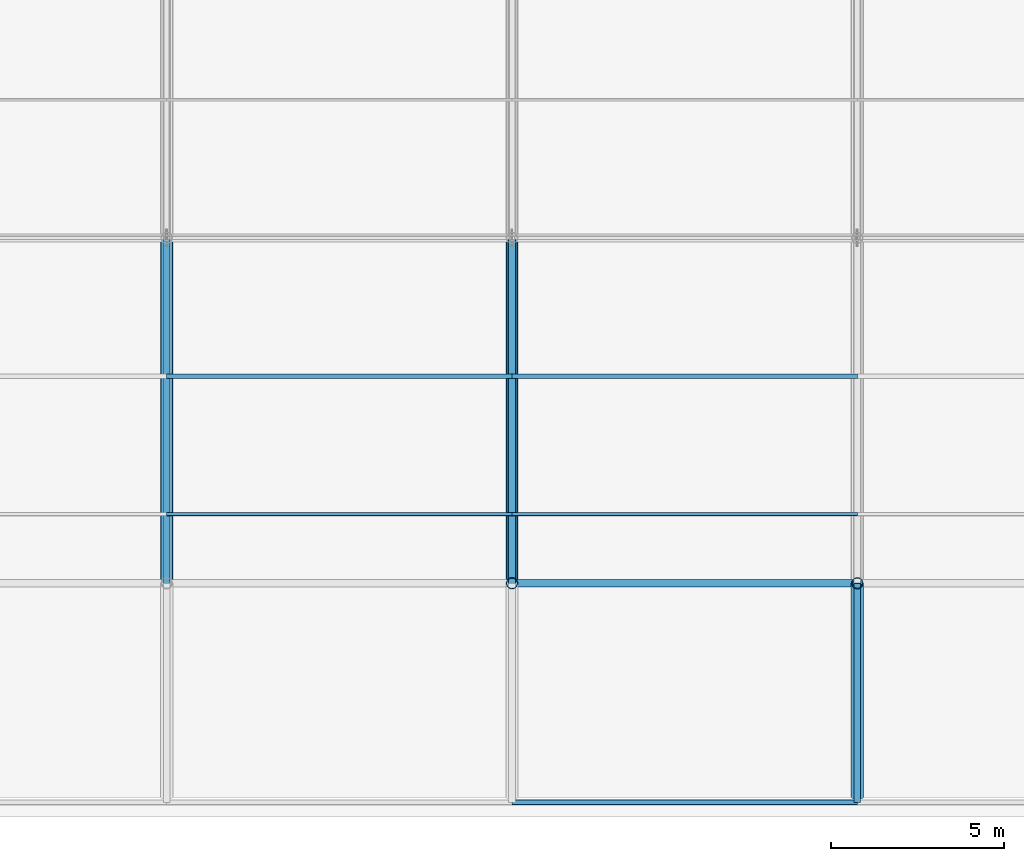
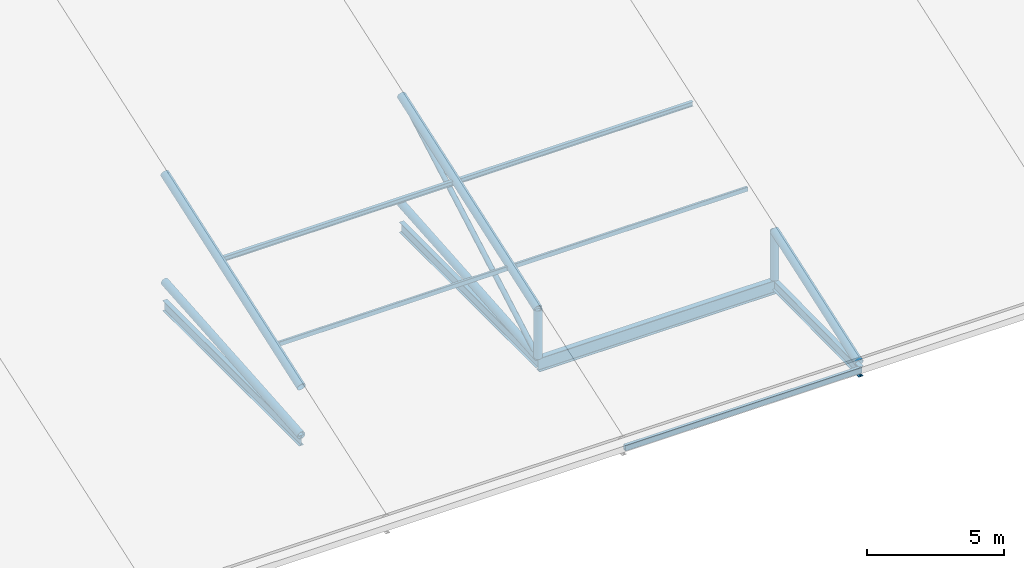
# One storey, part 17 of 93: 12 members, 5 beams.
"""IFC4 building model written with IfcOpenShell, lengths in metres."""

from ifc_helpers import new_model, si_unit, derived_unit, direction, frame, origin, origin_2d_with_axis, place, context, subcontext, project, spatial, hollow_rectangle, hollow_circle, i_section, extrude, material, material_profile, profile_set, type_object, element, save


model = new_model("IFC4")

# Units and contexts
model_context = context("Model", 3, precision=1e-05, world=origin(), true_north=direction((0.0, 1.0)))
body_context = subcontext(model_context, "Body", "Model", "MODEL_VIEW")
ifc_project = project(units=[si_unit("LENGTHUNIT", "METRE"), si_unit("AREAUNIT", "SQUARE_METRE"), si_unit("VOLUMEUNIT", "CUBIC_METRE"), si_unit("PLANEANGLEUNIT", "RADIAN"), si_unit("MASSUNIT", "GRAM", prefix="KILO"), derived_unit("THERMALTRANSMITTANCEUNIT", [(si_unit("POWERUNIT", "WATT"), 1), (si_unit("LENGTHUNIT", "METRE"), -2), (si_unit("THERMODYNAMICTEMPERATUREUNIT", "KELVIN"), -1)])], contexts=[model_context])

# Site, building, storey
site_placement = place(None, origin())
site = spatial("IfcSite", under=ifc_project, at=site_placement, CompositionType="ELEMENT")
building_placement = place(site_placement, origin())
building = spatial("IfcBuilding", under=site, at=building_placement, Name="Cinnabar Yard Market Hall", CompositionType="ELEMENT")
storey_placement = place(building_placement, frame((0.0, 0.0, 23.800048828125)))
storey = spatial("IfcBuildingStorey", under=building, at=storey_placement, Name="ROOF", CompositionType="ELEMENT", Elevation=23.800048828125)

# Beams
ifc_material_1 = material(Name="Steel Grade 350 (350 MPa)", Category="steel")
ifc_material_profile_1 = material_profile(ifc_material_1, i_section(OverallWidth=0.22900390625, OverallDepth=0.611572265625, WebThickness=0.011962890625, FlangeThickness=0.01953125, FilletRadius=0.013916015625, at=origin_2d_with_axis()), Name="610UB125")
ifc_profile_set_1 = profile_set([ifc_material_profile_1], Name="Steel Grade 350 (350 MPa)")
beam_type_1 = type_object("IfcBeamType", Name="BM-B01E", PredefinedType="BEAM", material=ifc_profile_set_1)
beam_1_placement = place(storey_placement, frame((116.0, 14.0, -9.705810546875), z_axis=(1.0, 0.0, 0.0), x_axis=(0.0, 1.0, 0.0)))
element("IfcBeam", 1, at=beam_1_placement, inside=storey, type_object=beam_type_1, Name="South Springer Girder 00362", PredefinedType="BEAM", context=body_context, shape_type="SweptSolid", body=[
    extrude(i_section(OverallWidth=0.22900390625, OverallDepth=0.611572265625, WebThickness=0.011962890625, FlangeThickness=0.01953125, FilletRadius=0.013916015625, at=origin_2d_with_axis()), origin(), (0.0, 0.0, 1.0), 10.0),
])
ifc_material_2 = material(Name="Steel Grade 300 (300 MPa)", Category="steel")
ifc_material_profile_2 = material_profile(ifc_material_2, i_section(OverallWidth=0.19091796875, OverallDepth=0.46044921875, WebThickness=0.010009765625, FlangeThickness=0.01611328125, FilletRadius=0.011474609375, at=origin_2d_with_axis()), Name="460UB82.1")
ifc_profile_set_2 = profile_set([ifc_material_profile_2], Name="Steel Grade 300 (300 MPa)")
beam_type_2 = type_object("IfcBeamType", Name="BM-B04", PredefinedType="BEAM", material=ifc_profile_set_2)
for number, where, z_axis, x_axis, name in (
    (2, (106.0, 24.0, -9.630126953125), (0.0, -1.0, 0.0), (1.0, 0.0, 0.0), "South Chhajja Backspan Girder 00528"),
    (3, (116.0, 24.0, -9.630126953125), (0.0, -1.0, 0.0), (1.0, 0.0, 0.0), "South Chhajja Backspan Girder 00532"),
):
    element("IfcBeam", number, at=place(storey_placement, frame(where, z_axis=z_axis, x_axis=x_axis)), inside=storey, type_object=beam_type_2, Name=name, PredefinedType="BEAM", context=body_context, shape_type="SweptSolid", body=[
        extrude(i_section(OverallWidth=0.19091796875, OverallDepth=0.46044921875, WebThickness=0.010009765625, FlangeThickness=0.01611328125, FilletRadius=0.011474609375, at=origin_2d_with_axis()), origin(), (0.0, 0.0, 1.0), 10.0),
    ])
ifc_material_profile_3 = material_profile(ifc_material_2, i_section(OverallWidth=0.19091796875, OverallDepth=0.46044921875, WebThickness=0.010009765625, FlangeThickness=0.01611328125, FilletRadius=0.011474609375, at=origin_2d_with_axis()), Name="460UB82.1")
ifc_profile_set_3 = profile_set([ifc_material_profile_3], Name="Steel Grade 300 (300 MPa)")
beam_type_3 = type_object("IfcBeamType", Name="BM-RF02E", PredefinedType="BEAM", material=ifc_profile_set_3)
beam_2_placement = place(storey_placement, frame((126.0, 14.0, -9.630126953125), z_axis=(0.0, -0.999920245484, -0.012629436656), x_axis=(1.0, 0.0, 0.0)))
element("IfcBeam", 4, at=beam_2_placement, inside=storey, type_object=beam_type_3, Name="South Chhajja Cantilever Rafter 00537", PredefinedType="BEAM", context=body_context, shape_type="SweptSolid", body=[
    extrude(i_section(OverallWidth=0.19091796875, OverallDepth=0.46044921875, WebThickness=0.010009765625, FlangeThickness=0.01611328125, FilletRadius=0.011474609375, at=origin_2d_with_axis()), origin(), (0.0, 0.0, 1.0), 6.340576171875),
])
ifc_material_3 = material(Name="Cold-formed steel C350L0", Category="steel")
ifc_material_profile_4 = material_profile(ifc_material_3, hollow_rectangle(XDim=0.14990234375, YDim=0.25, WallThickness=0.009033203125, InnerFilletRadius=0.009033203125, OuterFilletRadius=0.01806640625, at=origin_2d_with_axis()), Name="250x150x9.0RHS")
ifc_profile_set_4 = profile_set([ifc_material_profile_4], Name="Cold-formed steel C350L0")
beam_type_4 = type_object("IfcBeamType", Name="BM-SP01E", PredefinedType="SPANDREL", material=ifc_profile_set_4)
beam_3_placement = place(storey_placement, frame((116.0, 7.659912109375, -9.60498046875), z_axis=(1.0, 0.0, 0.0), x_axis=(0.0, 1.0, 0.0)))
element("IfcBeam", 5, at=beam_3_placement, inside=storey, type_object=beam_type_4, Name="South Eave Fascia 00554", PredefinedType="SPANDREL", context=body_context, shape_type="SweptSolid", body=[
    extrude(hollow_rectangle(XDim=0.14990234375, YDim=0.25, WallThickness=0.009033203125, InnerFilletRadius=0.009033203125, OuterFilletRadius=0.01806640625, at=origin_2d_with_axis()), origin(), (0.0, 0.0, 1.0), 10.0),
])

# Members
ifc_material_profile_5 = material_profile(ifc_material_3, hollow_circle(Radius=0.161865234375, WallThickness=0.009521484375, at=origin_2d_with_axis()), Name="323.9x9.5CHS")
ifc_profile_set_5 = profile_set([ifc_material_profile_5], Name="Cold-formed steel C350L0")
member_type_1 = type_object("IfcMemberType", Name="MB-BC01", PredefinedType="CHORD", material=ifc_profile_set_5)
for number, where, z_axis, x_axis, name in (
    (6, (106.0, 14.0, -9.400146484375), (0.0, 0.99681489162, 0.07975005859), (-1.0, 0.0, 0.0), "Hall Truss 106 Bottom Chord 1"),
    (7, (116.0, 14.0, -9.400146484375), (0.0, 0.99681489162, 0.07975005859), (-1.0, 0.0, 0.0), "Hall Truss 116 Bottom Chord 1"),
):
    element("IfcMember", number, at=place(storey_placement, frame(where, z_axis=z_axis, x_axis=x_axis)), inside=storey, type_object=member_type_1, Name=name, PredefinedType="CHORD", context=body_context, shape_type="SweptSolid", body=[
        extrude(hollow_circle(Radius=0.161865234375, WallThickness=0.009521484375, at=origin_2d_with_axis()), origin(), (0.0, 0.0, 1.0), 10.031982421875),
    ])
ifc_material_profile_6 = material_profile(ifc_material_3, hollow_circle(Radius=0.109619140625, WallThickness=0.00830078125, at=origin_2d_with_axis()), Name="219.1x8.2CHS")
ifc_profile_set_6 = profile_set([ifc_material_profile_6], Name="Cold-formed steel C350L0")
member_type_2 = type_object("IfcMemberType", Name="MB-DG01", PredefinedType="BRACE", material=ifc_profile_set_6)
member_1_placement = place(storey_placement, frame((116.0, 14.0, -9.400146484375), z_axis=(0.0, 0.871057093215, 0.491181779345), x_axis=(-1.0, 0.0, 0.0)))
element("IfcMember", 8, at=member_1_placement, inside=storey, type_object=member_type_2, Name="Hall Truss 116 Diagonal 1", PredefinedType="BRACE", context=body_context, shape_type="SweptSolid", body=[
    extrude(hollow_circle(Radius=0.109619140625, WallThickness=0.00830078125, at=origin_2d_with_axis()), origin(), (0.0, 0.0, 1.0), 11.480224609375),
])
ifc_material_profile_7 = material_profile(ifc_material_3, hollow_rectangle(XDim=0.10009765625, YDim=0.199951171875, WallThickness=0.006103515625, InnerFilletRadius=0.006103515625, OuterFilletRadius=0.011962890625, at=origin_2d_with_axis()), Name="200x100x6.0RHS")
ifc_profile_set_7 = profile_set([ifc_material_profile_7], Name="Cold-formed steel C350L0")
member_type_3 = type_object("IfcMemberType", Name="MB-PU01", PredefinedType="PURLIN", material=ifc_profile_set_7)
for number, where, z_axis, x_axis, name in (
    (9, (106.0, 16.0, -6.5859375), (1.0, 0.0, 0.0), (0.0, 1.0, 0.0), "Hall Roof Purlin Y16 X106"),
    (10, (116.0, 16.0, -6.5859375), (1.0, 0.0, 0.0), (0.0, 1.0, 0.0), "Hall Roof Purlin Y16 X116"),
):
    element("IfcMember", number, at=place(storey_placement, frame(where, z_axis=z_axis, x_axis=x_axis)), inside=storey, type_object=member_type_3, Name=name, PredefinedType="PURLIN", context=body_context, shape_type="SweptSolid", body=[
        extrude(hollow_rectangle(XDim=0.10009765625, YDim=0.199951171875, WallThickness=0.006103515625, InnerFilletRadius=0.006103515625, OuterFilletRadius=0.011962890625, at=origin_2d_with_axis()), origin(), (0.0, 0.0, 1.0), 10.0),
    ])
ifc_material_profile_8 = material_profile(ifc_material_2, i_section(OverallWidth=0.134033203125, OverallDepth=0.20703125, WebThickness=0.00634765625, FlangeThickness=0.009521484375, FilletRadius=0.0087890625, at=origin_2d_with_axis()), Name="200UB29.8")
ifc_profile_set_8 = profile_set([ifc_material_profile_8], Name="Steel Grade 300 (300 MPa)")
member_type_4 = type_object("IfcMemberType", Name="MB-PU02", PredefinedType="PURLIN", material=ifc_profile_set_8)
for number, where, z_axis, x_axis, name in (
    (11, (106.0, 20.0, -5.193603515625), (1.0, 0.0, 0.0), (0.0, 1.0, 0.0), "Hall Roof Purlin Y20 X106"),
    (12, (116.0, 20.0, -5.193603515625), (1.0, 0.0, 0.0), (0.0, 1.0, 0.0), "Hall Roof Purlin Y20 X116"),
):
    element("IfcMember", number, at=place(storey_placement, frame(where, z_axis=z_axis, x_axis=x_axis)), inside=storey, type_object=member_type_4, Name=name, PredefinedType="PURLIN", context=body_context, shape_type="SweptSolid", body=[
        extrude(i_section(OverallWidth=0.134033203125, OverallDepth=0.20703125, WebThickness=0.00634765625, FlangeThickness=0.009521484375, FilletRadius=0.0087890625, at=origin_2d_with_axis()), origin(), (0.0, 0.0, 1.0), 10.0),
    ])
ifc_material_4 = material(Name="Spotted-gum glulam-clad steel Grade 350 (350 MPa)", Category="steel")
ifc_material_profile_9 = material_profile(ifc_material_4, hollow_circle(Radius=0.161865234375, WallThickness=0.009521484375, at=origin_2d_with_axis()), Name="323.9x9.5CHS")
ifc_profile_set_9 = profile_set([ifc_material_profile_9], Name="Spotted-gum glulam-clad steel Grade 350 (350 MPa)")
member_type_5 = type_object("IfcMemberType", Name="MB-ST01E", PredefinedType="STRUT", material=ifc_profile_set_9)
for number, where, z_axis, x_axis, name in (
    (13, (116.0, 14.0, -9.400146484375), (0.0, 0.0, 1.0), (1.0, 0.0, 0.0), "Truss Bearing Post 116-14"),
    (14, (126.0, 14.0, -9.400146484375), (0.0, 0.0, 1.0), (1.0, 0.0, 0.0), "Truss Bearing Post 126-14"),
):
    element("IfcMember", number, at=place(storey_placement, frame(where, z_axis=z_axis, x_axis=x_axis)), inside=storey, type_object=member_type_5, Name=name, PredefinedType="STRUT", context=body_context, shape_type="SweptSolid", body=[
        extrude(hollow_circle(Radius=0.161865234375, WallThickness=0.009521484375, at=origin_2d_with_axis()), origin(), (0.0, 0.0, 1.0), 2.158203125),
    ])
ifc_material_profile_10 = material_profile(ifc_material_3, hollow_circle(Radius=0.177734375, WallThickness=0.0126953125, at=origin_2d_with_axis()), Name="355.6x12.7CHS")
ifc_profile_set_10 = profile_set([ifc_material_profile_10], Name="Cold-formed steel C350L0")
member_type_6 = type_object("IfcMemberType", Name="MB-TC01", PredefinedType="CHORD", material=ifc_profile_set_10)
for number, where, z_axis, x_axis, name in (
    (15, (106.0, 14.0, -7.241943359375), (0.0, 0.944424919483, 0.328727199147), (-1.0, 0.0, 0.0), "Hall Truss 106 Top Chord 1"),
    (16, (116.0, 14.0, -7.241943359375), (0.0, 0.944424919483, 0.328727199147), (-1.0, 0.0, 0.0), "Hall Truss 116 Top Chord 1"),
):
    element("IfcMember", number, at=place(storey_placement, frame(where, z_axis=z_axis, x_axis=x_axis)), inside=storey, type_object=member_type_6, Name=name, PredefinedType="CHORD", context=body_context, shape_type="SweptSolid", body=[
        extrude(hollow_circle(Radius=0.177734375, WallThickness=0.0126953125, at=origin_2d_with_axis()), origin(), (0.0, 0.0, 1.0), 10.58837890625),
    ])
ifc_material_profile_11 = material_profile(ifc_material_3, hollow_circle(Radius=0.177734375, WallThickness=0.0126953125, at=origin_2d_with_axis()), Name="355.6x12.7CHS")
ifc_profile_set_11 = profile_set([ifc_material_profile_11], Name="Cold-formed steel C350L0")
member_type_7 = type_object("IfcMemberType", Name="MB-TC01E", PredefinedType="CHORD", material=ifc_profile_set_11)
member_2_placement = place(storey_placement, frame((126.0, 14.0, -7.241943359375), z_axis=(0.0, -0.944416495302, -0.328751400609), x_axis=(1.0, 0.0, 0.0)))
element("IfcMember", 17, at=member_2_placement, inside=storey, type_object=member_type_7, Name="South Sloped Eave Rafter 126", PredefinedType="CHORD", context=body_context, shape_type="SweptSolid", body=[
    extrude(hollow_circle(Radius=0.177734375, WallThickness=0.0126953125, at=origin_2d_with_axis()), origin(), (0.0, 0.0, 1.0), 6.56494140625),
])

save(model, "model.ifc")
